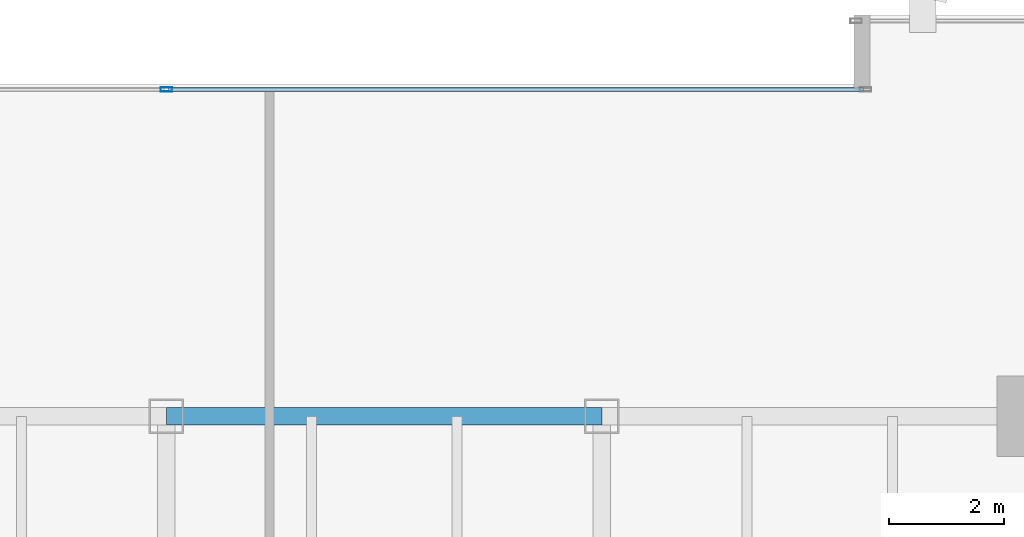
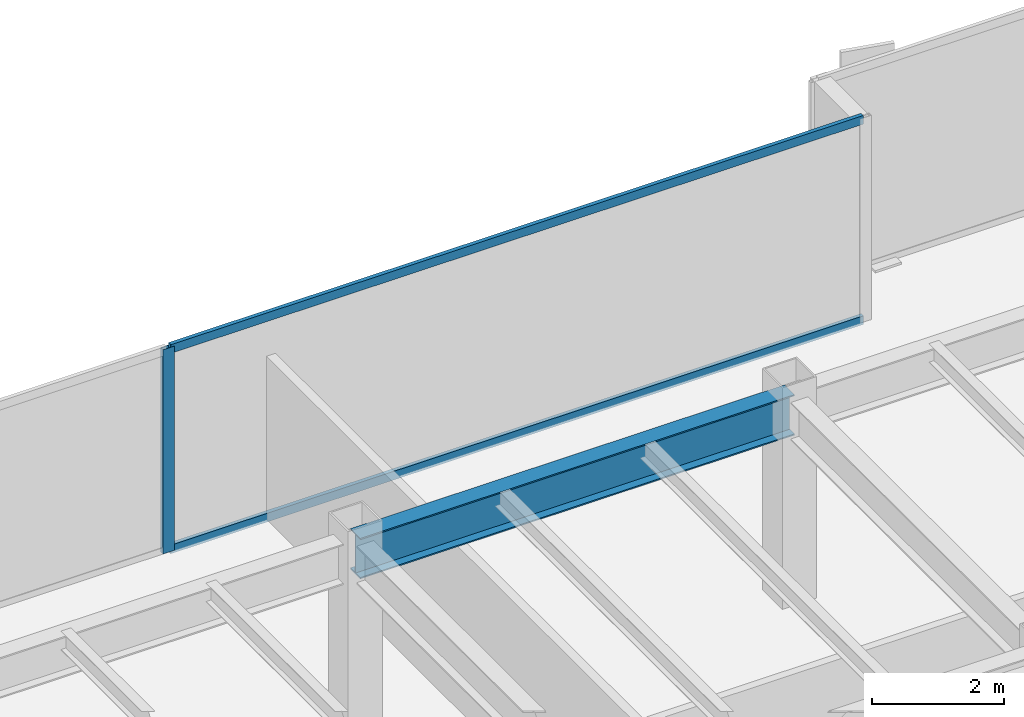
# One storey, part 18 of 36: 3 members, 1 beam, 1 element without a shape of its own.
"""IFC4 building model written with IfcOpenShell, lengths in metres."""

import ifcopenshell
import ifcopenshell.guid

model = None  # the IFC model being written
_history = None  # IfcOwnerHistory: only IFC2X3 demands one
_inside = {}  # id of a spatial element -> (the spatial element, [elements in it])
_under = {}  # id of a project, library or spatial element -> (it, [spatial elements below it])
_declared = {}  # id of a project -> (the project, [libraries it declares])
_typed = {}  # id of a type object -> (the type object, [elements of that type])
_made_of = {}  # id of a material, layer set ... -> (it, [elements and type objects made of it])


def new_model(schema):
    """Start an empty IFC model of exactly this schema.

    Asked for "IFC4X3", IfcOpenShell would pick the latest addendum, in which some entities
    have other attributes; the version numbers below select the first issue.
    IFC2X3 requires an IfcOwnerHistory on every rooted entity: one is made here for all.
    """
    global model, _history
    if schema == "IFC4X3":
        model = ifcopenshell.file(schema_version=(4, 3, 0, 0))
    else:
        model = ifcopenshell.file(schema=schema)
    _inside.clear()
    _under.clear()
    _declared.clear()
    _typed.clear()
    _made_of.clear()
    _history = None
    if model.schema == "IFC2X3":
        org = make("IfcOrganization", Name="unknown")
        user = make(
            "IfcPersonAndOrganization",
            ThePerson=make("IfcPerson", FamilyName="unknown"),
            TheOrganization=org,
        )
        app = make(
            "IfcApplication",
            ApplicationDeveloper=org,
            Version="unknown",
            ApplicationFullName="unknown",
            ApplicationIdentifier="unknown",
        )
        _history = make(
            "IfcOwnerHistory",
            OwningUser=user,
            OwningApplication=app,
            ChangeAction="ADDED",
            CreationDate=0,
        )
    return model


def make(cls, **values):
    """One entity of the class cls with the attributes given. An attribute that is None is left unset."""
    return model.create_entity(
        cls, **{name: value for name, value in values.items() if value is not None}
    )


def rooted(cls, **values):
    """An entity with a GlobalId (a new one), such as an element, a storey or a relation."""
    return make(cls, GlobalId=ifcopenshell.guid.new(), OwnerHistory=_history, **values)


def si_unit(unit_type, name, prefix=None):
    """IfcSIUnit, for example si_unit("LENGTHUNIT", "METRE", prefix="MILLI")."""
    return make("IfcSIUnit", UnitType=unit_type, Prefix=prefix, Name=name)


def assignment(units):
    """IfcUnitAssignment: the units of a project."""
    return None if units is None else make("IfcUnitAssignment", Units=units)


def point(xyz):
    """IfcCartesianPoint."""
    return None if xyz is None else make("IfcCartesianPoint", Coordinates=xyz)


def direction(xyz):
    """IfcDirection."""
    return None if xyz is None else make("IfcDirection", DirectionRatios=xyz)


def frame(location, z_axis=None, x_axis=None):
    """IfcAxis2Placement3D, a coordinate frame: its origin and axes. An axis left out is left unset."""
    return make(
        "IfcAxis2Placement3D",
        Location=point(location),
        Axis=direction(z_axis),
        RefDirection=direction(x_axis),
    )


def frame_2d(location, x_axis=None):
    """IfcAxis2Placement2D, a coordinate frame in the plane: its origin and x axis."""
    return make(
        "IfcAxis2Placement2D", Location=point(location), RefDirection=direction(x_axis)
    )


def origin():
    """The frame at (0, 0, 0) with its axes left unset."""
    return frame((0.0, 0.0, 0.0))


def origin_2d():
    """The frame at (0, 0) in the plane with its x axis left unset."""
    return frame_2d((0.0, 0.0))


def place(relative_to, where):
    """IfcLocalPlacement: puts the frame where relative to a parent placement (None: the world)."""
    return make(
        "IfcLocalPlacement", PlacementRelTo=relative_to, RelativePlacement=where
    )


def context(
    kind, dimensions, precision=None, world=None, true_north=None, identifier=None
):
    """IfcGeometricRepresentationContext, for example the 3D "Model" context."""
    return make(
        "IfcGeometricRepresentationContext",
        ContextIdentifier=identifier,
        ContextType=kind,
        CoordinateSpaceDimension=dimensions,
        Precision=precision,
        WorldCoordinateSystem=world,
        TrueNorth=true_north,
    )


def subcontext(parent, identifier, kind, view, scale=None):
    """IfcGeometricRepresentationSubContext, for example "Body" below "Model"."""
    return make(
        "IfcGeometricRepresentationSubContext",
        ContextIdentifier=identifier,
        ContextType=kind,
        ParentContext=parent,
        TargetScale=scale,
        TargetView=view,
    )


def project(units=None, contexts=None):
    """IfcProject with its units and contexts."""
    return rooted(
        "IfcProject",
        Name="project",
        RepresentationContexts=contexts,
        UnitsInContext=assignment(units),
    )


def spatial(cls, under=None, at=None, **own):
    """A site, building, storey or space (cls), placed at a placement, below another one or the project."""
    s = rooted(cls, ObjectPlacement=at, **own)
    if under is not None:
        _under.setdefault(under.id(), (under, []))[1].append(s)
    return s


def profile(cls, at=None, kind="AREA", **sizes):
    """A parametric profile (cls). Its sizes go by their IFC names, for example OverallWidth=200.0."""
    return make(cls, ProfileType=kind, Position=at, **sizes)


def hollow_rectangle(**sizes):
    """IfcRectangleHollowProfileDef."""
    return profile("IfcRectangleHollowProfileDef", **sizes)


def i_section(**sizes):
    """IfcIShapeProfileDef."""
    return profile("IfcIShapeProfileDef", **sizes)


def extrude(swept, where, along, depth):
    """IfcExtrudedAreaSolid: the profile swept, set in the frame where, extruded along a direction by depth."""
    return make(
        "IfcExtrudedAreaSolid",
        SweptArea=swept,
        Position=where,
        ExtrudedDirection=direction(along),
        Depth=depth,
    )


def shape(context_of_items, identifier, shape_type, items):
    """IfcShapeRepresentation: the items that make up one representation, for example the "Body"."""
    return make(
        "IfcShapeRepresentation",
        ContextOfItems=context_of_items,
        RepresentationIdentifier=identifier,
        RepresentationType=shape_type,
        Items=items,
    )


def source(mapping_origin, context_of_items, identifier, shape_type, items):
    """IfcRepresentationMap: a shape defined once, which mapped items show again and again."""
    return make(
        "IfcRepresentationMap",
        MappingOrigin=mapping_origin,
        MappedRepresentation=shape(context_of_items, identifier, shape_type, items),
    )


def transform(
    local_origin,
    x_axis=None,
    y_axis=None,
    z_axis=None,
    scale=None,
    scale2=None,
    scale3=None,
    uniform=True,
):
    """IfcCartesianTransformationOperator3D, or its non-uniform kind. x_axis, y_axis, z_axis: its Axis1, 2, 3."""
    if uniform:
        return make(
            "IfcCartesianTransformationOperator3D",
            Axis1=direction(x_axis),
            Axis2=direction(y_axis),
            LocalOrigin=point(local_origin),
            Scale=scale,
            Axis3=direction(z_axis),
        )
    return make(
        "IfcCartesianTransformationOperator3DnonUniform",
        Axis1=direction(x_axis),
        Axis2=direction(y_axis),
        LocalOrigin=point(local_origin),
        Scale=scale,
        Axis3=direction(z_axis),
        Scale2=scale2,
        Scale3=scale3,
    )


def mapped(mapping_source, mapping_target):
    """IfcMappedItem: shows the shape of a source again, moved by a transform."""
    return make(
        "IfcMappedItem", MappingSource=mapping_source, MappingTarget=mapping_target
    )


def material(Name=None, Category=None):
    """IfcMaterial."""
    return make("IfcMaterial", Name=Name, Category=Category)


def layer(
    of_material, thickness, ventilated=None, Name=None, Category=None, Priority=None
):
    """IfcMaterialLayer: one layer of a wall or slab, of a material (None: an air gap)."""
    return make(
        "IfcMaterialLayer",
        Material=of_material,
        LayerThickness=thickness,
        IsVentilated=ventilated,
        Name=Name,
        Category=Category,
        Priority=Priority,
    )


def layer_set(layers, Name=None):
    """IfcMaterialLayerSet."""
    return make("IfcMaterialLayerSet", MaterialLayers=layers, LayerSetName=Name)


def material_profile(
    of_material, cross_section, Name=None, Category=None, Priority=None
):
    """IfcMaterialProfile: a cross section and its material."""
    return make(
        "IfcMaterialProfile",
        Name=Name,
        Material=of_material,
        Profile=cross_section,
        Priority=Priority,
        Category=Category,
    )


def profile_set(profiles, Name=None, composite=None):
    """IfcMaterialProfileSet."""
    return make(
        "IfcMaterialProfileSet",
        Name=Name,
        MaterialProfiles=profiles,
        CompositeProfile=composite,
    )


def made_of(thing, what):
    """Note that an element or type object is made of a material, layer set ...; save() writes the relation."""
    if what is not None:
        _made_of.setdefault(what.id(), (what, []))[1].append(thing)
    return thing


def type_object(cls, material=None, **own):
    """A type object (cls), such as IfcWallType, which elements share."""
    return made_of(rooted(cls, **own), material)


def type_shapes(of_type, sources):
    """Give a type object the sources (RepresentationMaps) that its elements show as mapped items."""
    of_type.RepresentationMaps = sources


def element(
    cls,
    number,
    at=None,
    inside=None,
    cuts=None,
    type_object=None,
    material=None,
    context=None,
    identifier="Body",
    shape_type=None,
    held_by="IfcProductDefinitionShape",
    body=None,
    shapes=None,
    **own,
):
    """One element of the class cls, such as IfcWall. Its Tag is "e" and its number.

    at: its placement. inside: the storey or other place that contains it. cuts: it is an
    opening in that element (IfcRelVoidsElement). A single representation is given by context,
    identifier, shape_type and body (its items); several are given by shapes. held_by: the class
    of the entity that holds the representations. save() writes the other relations.
    """
    e = rooted(cls, Tag="e%d" % number, ObjectPlacement=at, **own)
    if body is not None:
        shapes = [shape(context, identifier, shape_type, body)]
    if shapes is not None:
        e.Representation = make(held_by, Representations=shapes)
    if inside is not None:
        _inside.setdefault(inside.id(), (inside, []))[1].append(e)
    if cuts is not None:
        rooted(
            "IfcRelVoidsElement", RelatingBuildingElement=cuts, RelatedOpeningElement=e
        )
    if type_object is not None:
        _typed.setdefault(type_object.id(), (type_object, []))[1].append(e)
    return made_of(e, material)


def aggregate(whole, parts):
    """IfcRelAggregates: a whole, such as a stair, and the parts it consists of."""
    return rooted("IfcRelAggregates", RelatingObject=whole, RelatedObjects=parts)


def save(model, path):
    """Write the relations noted so far, then the file.

    IfcRelAggregates (storeys below a building ...), IfcRelContainedInSpatialStructure (elements
    in a storey), IfcRelDefinesByType, IfcRelAssociatesMaterial and IfcRelDeclares: one each for
    every whole, place, type object, material and project.
    """
    for whole, parts in _under.values():
        aggregate(whole, parts)
    for where, things in _inside.values():
        rooted(
            "IfcRelContainedInSpatialStructure",
            RelatedElements=things,
            RelatingStructure=where,
        )
    for kind, things in _typed.values():
        rooted("IfcRelDefinesByType", RelatedObjects=things, RelatingType=kind)
    for what, things in _made_of.values():
        rooted("IfcRelAssociatesMaterial", RelatedObjects=things, RelatingMaterial=what)
    for by, libraries in _declared.values():
        rooted("IfcRelDeclares", RelatingContext=by, RelatedDefinitions=libraries)
    model.write(path)


model = new_model("IFC4")

# Units and contexts
model_context = context("Model", 3, precision=1e-05, world=origin(), true_north=direction((0.0, 1.0)))
body_context = subcontext(model_context, "Body", "Model", "MODEL_VIEW")
ifc_project = project(units=[si_unit("LENGTHUNIT", "METRE"), si_unit("AREAUNIT", "SQUARE_METRE"), si_unit("VOLUMEUNIT", "CUBIC_METRE"), si_unit("PLANEANGLEUNIT", "RADIAN"), si_unit("MASSUNIT", "GRAM", prefix="KILO")], contexts=[model_context])

# Site, building, storey
site_placement = place(None, origin())
site = spatial("IfcSite", under=ifc_project, at=site_placement, CompositionType="ELEMENT")
building_placement = place(site_placement, origin())
building = spatial("IfcBuilding", under=site, at=building_placement, Name="Haelvirn Gate Laboratories", CompositionType="ELEMENT")
storey_placement = place(building_placement, frame((0.0, 0.0, 29.300048828125)))
storey = spatial("IfcBuildingStorey", under=building, at=storey_placement, Name="L07", CompositionType="ELEMENT", Elevation=29.300048828125)

# Beam
ifc_material_1 = material(Name="Steel SM355", Category="steel")
ifc_material_profile_1 = material_profile(ifc_material_1, i_section(OverallWidth=0.300048828125, OverallDepth=0.75, WebThickness=0.013916015625, FlangeThickness=0.02392578125, at=origin_2d()), Name="H-750x300x14x24")
ifc_profile_set_1 = profile_set([ifc_material_profile_1], Name="Steel SM355")
beam_type = type_object("IfcBeamType", Name="BM-G-750", PredefinedType="BEAM", material=ifc_profile_set_1)
shared_shape_1 = source(origin(), body_context, "Body", "SweptSolid", [
    extrude(i_section(OverallWidth=0.300048828125, OverallDepth=0.75, WebThickness=0.013916015625, FlangeThickness=0.02392578125, at=origin_2d()), origin(), (0.0, 0.0, 1.0), 7.60009765625),
])
type_shapes(beam_type, [shared_shape_1])
beam_placement = place(storey_placement, frame((37.39990234375, 41.60009765625, 3.405029296875), z_axis=(1.0, 0.0, 0.0), x_axis=(0.0, 1.0, 0.0)))
element("IfcBeam", 1, at=beam_placement, inside=storey, type_object=beam_type, Name="L07 Primary Girder Y41.6 (37.4-45.0)", PredefinedType="BEAM", context=body_context, shape_type="MappedRepresentation", body=[
    mapped(shared_shape_1, transform((0.0, 0.0, 0.0), scale=1.0)),
])

# Curtain wall, members
ifc_material_2 = material(Name="Anodised bronze unitised aluminium & triple low-E glass", Category="aluminium")
ifc_layer = layer(ifc_material_2, 0.18408203125, Name="CW-SYS-2")
ifc_layer_set = layer_set([ifc_layer], Name="Anodised bronze unitised aluminium & triple low-E glass")
curtain_wall_type = type_object("IfcCurtainWallType", Name="CW-SYS-2", PredefinedType="NOTDEFINED", material=ifc_layer_set)
curtain_wall_placement = place(storey_placement, origin())
curtain_wall = element("IfcCurtainWall", 2, at=curtain_wall_placement, inside=storey, type_object=curtain_wall_type, Name="L07 Unitised Curtain Wall CW-L07-P0-E12-1", PredefinedType="NOTDEFINED")
ifc_material_3 = material(Name="Extruded aluminium 6063-T6 (anodised bronze)", Category="aluminium")
ifc_material_profile_2 = material_profile(ifc_material_3, hollow_rectangle(XDim=0.074951171875, YDim=0.199951171875, WallThickness=0.0048828125, at=origin_2d()), Name="CWM-200x75x5")
ifc_profile_set_2 = profile_set([ifc_material_profile_2], Name="Extruded aluminium 6063-T6 (anodised bronze)")
member_type_1 = type_object("IfcMemberType", Name="CWM-T200", PredefinedType="MULLION", material=ifc_profile_set_2)
shared_shape_2 = source(origin(), body_context, "Body", "SweptSolid", [
    extrude(hollow_rectangle(XDim=0.074951171875, YDim=0.199951171875, WallThickness=0.0048828125, at=origin_2d()), origin(), (0.0, 0.0, 1.0), 3.780029296875),
])
type_shapes(member_type_1, [shared_shape_2])
member_1_placement = place(storey_placement, frame((37.39990234375, 47.300048828125, 0.0), z_axis=(0.0, 0.0, 1.0), x_axis=(0.0, 1.0, 0.0)))
member_1 = element("IfcMember", 3, at=member_1_placement, type_object=member_type_1, Name="CW2 mullion 2", PredefinedType="MULLION", context=body_context, shape_type="MappedRepresentation", body=[
    mapped(shared_shape_2, transform((0.0, 0.0, 0.0), scale=1.0)),
])
ifc_material_profile_3 = material_profile(ifc_material_3, hollow_rectangle(XDim=0.070068359375, YDim=0.159912109375, WallThickness=0.0048828125, at=origin_2d()), Name="CWT-160x70x5")
ifc_profile_set_3 = profile_set([ifc_material_profile_3], Name="Extruded aluminium 6063-T6 (anodised bronze)")
member_type_2 = type_object("IfcMemberType", Name="CWT-T160", PredefinedType="USERDEFINED", material=ifc_profile_set_3)
shared_shape_3 = source(origin(), body_context, "Body", "SweptSolid", [
    extrude(hollow_rectangle(XDim=0.070068359375, YDim=0.159912109375, WallThickness=0.0048828125, at=origin_2d()), origin(), (0.0, 0.0, 1.0), 12.12744140625),
])
type_shapes(member_type_2, [shared_shape_3])
member_2_placement = place(storey_placement, frame((37.4375, 47.300048828125, 0.034912109375), z_axis=(1.0, 0.0, 0.0), x_axis=(0.0, 1.0, 0.0)))
member_2 = element("IfcMember", 4, at=member_2_placement, type_object=member_type_2, Name="CW2 transom 2.1", ObjectType="TRANSOM", PredefinedType="USERDEFINED", context=body_context, shape_type="MappedRepresentation", body=[
    mapped(shared_shape_3, transform((0.0, 0.0, 0.0), scale=1.0)),
])
member_3_placement = place(storey_placement, frame((37.4375, 47.300048828125, 3.744873046875), z_axis=(1.0, 0.0, 0.0), x_axis=(0.0, 1.0, 0.0)))
member_3 = element("IfcMember", 5, at=member_3_placement, type_object=member_type_2, Name="CW2 transom 2.2", ObjectType="TRANSOM", PredefinedType="USERDEFINED", context=body_context, shape_type="MappedRepresentation", body=[
    mapped(shared_shape_3, transform((0.0, 0.0, 0.0), scale=1.0)),
])
aggregate(curtain_wall, [member_1, member_2, member_3])

save(model, "model.ifc")
